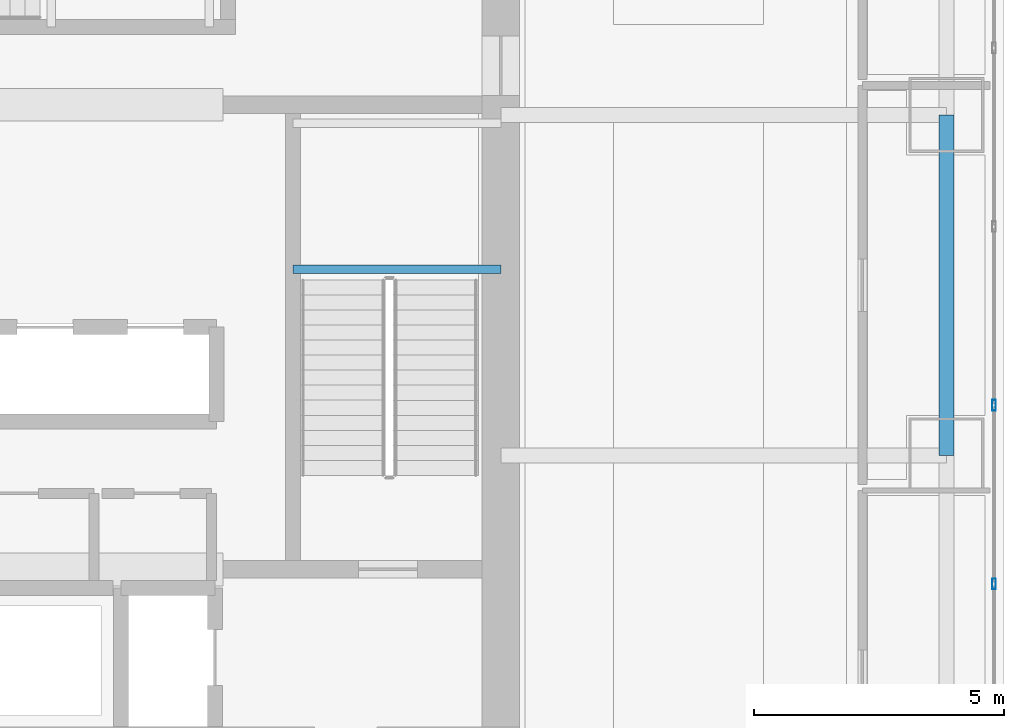
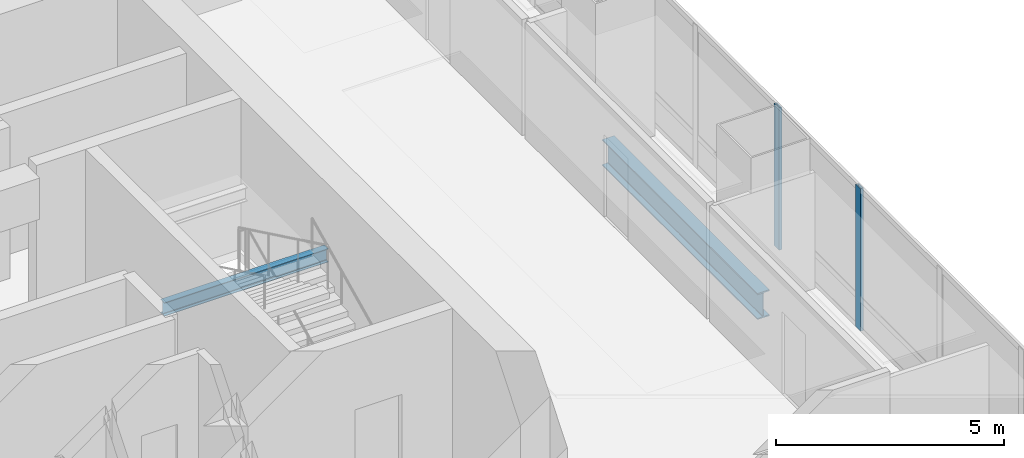
# One storey, part 15 of 36: 2 beams, 2 members, 1 element without a shape of its own.
"""IFC4 building model written with IfcOpenShell, lengths in metres."""

from ifc_helpers import new_model, si_unit, direction, frame, origin, origin_2d, place, context, subcontext, project, spatial, hollow_rectangle, i_section, extrude, material, material_profile, profile_set, type_object, element, aggregate, save


model = new_model("IFC4")

# Units and contexts
model_context = context("Model", 3, precision=1e-05, world=origin(), true_north=direction((0.0, 1.0)))
body_context = subcontext(model_context, "Body", "Model", "MODEL_VIEW")
ifc_project = project(units=[si_unit("LENGTHUNIT", "METRE"), si_unit("AREAUNIT", "SQUARE_METRE"), si_unit("VOLUMEUNIT", "CUBIC_METRE"), si_unit("PLANEANGLEUNIT", "RADIAN"), si_unit("MASSUNIT", "GRAM", prefix="KILO")], contexts=[model_context])

# Site, building, storey
site_placement = place(None, origin())
site = spatial("IfcSite", under=ifc_project, at=site_placement, CompositionType="ELEMENT")
building_placement = place(site_placement, origin())
building = spatial("IfcBuilding", under=site, at=building_placement, Name="Punatoya Terracotta Tower", CompositionType="ELEMENT")
storey_placement = place(building_placement, frame((0.0, 0.0, 36.300048828125)))
storey = spatial("IfcBuildingStorey", under=building, at=storey_placement, Name="L07", CompositionType="ELEMENT", Elevation=36.300048828125)

# Beams
ifc_material_1 = material(Name="Steel S355", Category="steel")
ifc_material_profile_1 = material_profile(ifc_material_1, i_section(OverallWidth=0.300048828125, OverallDepth=0.699951171875, WebThickness=0.01708984375, FlangeThickness=0.031982421875, FilletRadius=0.01806640625, at=origin_2d()))
ifc_profile_set_1 = profile_set([ifc_material_profile_1], Name="Steel S355")
beam_type_1 = type_object("IfcBeamType", Name="BM-PRI-700", PredefinedType="BEAM", material=ifc_profile_set_1)
beam_1_placement = place(storey_placement, frame((19.10009765625, -3.39990234375, -0.590087890625), z_axis=(0.0, 1.0, 0.0), x_axis=(-1.0, 0.0, 0.0)))
element("IfcBeam", 1, at=beam_1_placement, inside=storey, type_object=beam_type_1, Name="BM-L07-RG-E2", PredefinedType="BEAM", context=body_context, shape_type="SweptSolid", body=[
    extrude(i_section(OverallWidth=0.300048828125, OverallDepth=0.699951171875, WebThickness=0.01708984375, FlangeThickness=0.031982421875, FilletRadius=0.01806640625, at=origin_2d()), origin(), (0.0, 0.0, 1.0), 6.7998046875),
])
ifc_material_profile_2 = material_profile(ifc_material_1, i_section(OverallWidth=0.169921875, OverallDepth=0.360107421875, WebThickness=0.008056640625, FlangeThickness=0.0126953125, FilletRadius=0.01806640625, at=origin_2d()))
ifc_profile_set_2 = profile_set([ifc_material_profile_2], Name="Steel S355")
beam_type_2 = type_object("IfcBeamType", Name="BM-SEC-360", PredefinedType="JOIST", material=ifc_profile_set_2)
beam_2_placement = place(storey_placement, frame((6.050048828125, 0.320068359375, 1.64501953125), z_axis=(1.0, 0.0, 0.0), x_axis=(0.0, 1.0, 0.0)))
element("IfcBeam", 2, at=beam_2_placement, inside=storey, type_object=beam_type_2, Name="BM-L07-ST-2-LD1A", PredefinedType="JOIST", context=body_context, shape_type="SweptSolid", body=[
    extrude(i_section(OverallWidth=0.169921875, OverallDepth=0.360107421875, WebThickness=0.008056640625, FlangeThickness=0.0126953125, FilletRadius=0.01806640625, at=origin_2d()), origin(), (0.0, 0.0, 1.0), 4.14990234375),
])

# Curtain wall, members
ifc_material_2 = material(Name="Aluminium 6063-T6 + Double Low-E Glass", Category="aluminium")
curtain_wall_type = type_object("IfcCurtainWallType", Name="CW-M1", PredefinedType="NOTDEFINED", material=ifc_material_2)
curtain_wall_placement = place(storey_placement, origin())
curtain_wall = element("IfcCurtainWall", 3, at=curtain_wall_placement, inside=storey, type_object=curtain_wall_type, Name="L07 Curtain Wall CW-L07-E05-1", PredefinedType="NOTDEFINED")
ifc_material_3 = material(Name="Aluminium 6063-T6", Category="aluminium")
ifc_material_profile_3 = material_profile(ifc_material_3, hollow_rectangle(XDim=0.074951171875, YDim=0.2099609375, WallThickness=0.00439453125, at=origin_2d()))
ifc_profile_set_3 = profile_set([ifc_material_profile_3], Name="Aluminium 6063-T6")
member_type = type_object("IfcMemberType", Name="CW-MUL-M1", PredefinedType="MULLION", material=ifc_profile_set_3)
member_1_placement = place(storey_placement, frame((20.050048828125, -5.96728515625, 0.0), z_axis=(0.0, 0.0, 1.0), x_axis=(1.0, 0.0, 0.0)))
member_1 = element("IfcMember", 4, at=member_1_placement, type_object=member_type, Name="CW-L07-E05-1 Mullion 04", PredefinedType="MULLION", context=body_context, shape_type="SweptSolid", body=[
    extrude(hollow_rectangle(XDim=0.074951171875, YDim=0.2099609375, WallThickness=0.00439453125, at=origin_2d()), origin(), (0.0, 0.0, 1.0), 3.81005859375),
])
member_2_placement = place(storey_placement, frame((20.050048828125, -2.39990234375, 0.0), z_axis=(0.0, 0.0, 1.0), x_axis=(1.0, 0.0, 0.0)))
member_2 = element("IfcMember", 5, at=member_2_placement, type_object=member_type, Name="CW-L07-E05-1 Mullion 05", PredefinedType="MULLION", context=body_context, shape_type="SweptSolid", body=[
    extrude(hollow_rectangle(XDim=0.074951171875, YDim=0.2099609375, WallThickness=0.00439453125, at=origin_2d()), origin(), (0.0, 0.0, 1.0), 3.81005859375),
])
aggregate(curtain_wall, [member_1, member_2])

save(model, "model.ifc")
